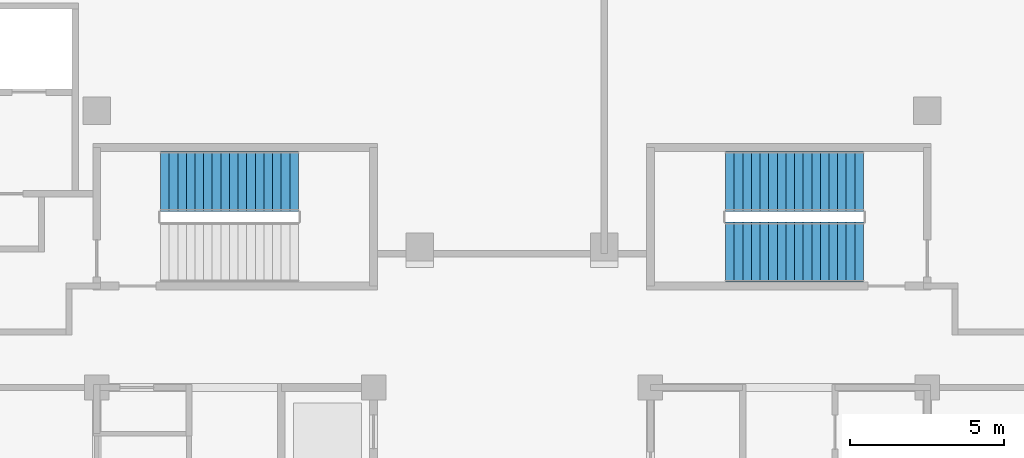
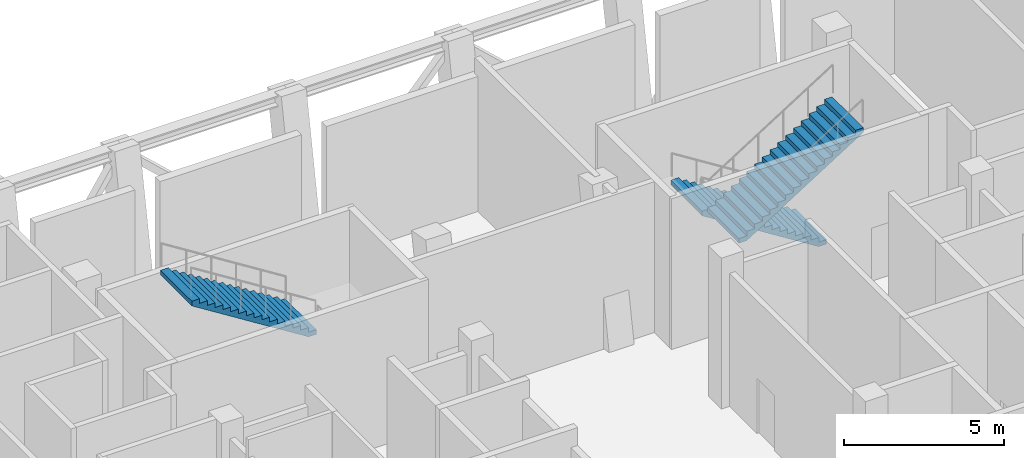
# One storey, part 8 of 11: 3 stair flights, 2 elements without a shape of their own.
"""IFC4 building model written with IfcOpenShell, lengths in metres."""

from ifc_helpers import new_model, si_unit, direction, frame, origin, place, context, subcontext, project, spatial, polyline, outline, extrude, material, type_object, element, aggregate, save


model = new_model("IFC4")

# Units and contexts
model_context = context("Model", 3, precision=1e-05, world=origin(), true_north=direction((0.0, 1.0)))
body_context = subcontext(model_context, "Body", "Model", "MODEL_VIEW")
ifc_project = project(units=[si_unit("LENGTHUNIT", "METRE"), si_unit("AREAUNIT", "SQUARE_METRE"), si_unit("VOLUMEUNIT", "CUBIC_METRE"), si_unit("PLANEANGLEUNIT", "RADIAN"), si_unit("MASSUNIT", "GRAM", prefix="KILO")], contexts=[model_context])

# Site, building, storey
site_placement = place(None, origin())
site = spatial("IfcSite", under=ifc_project, at=site_placement, CompositionType="ELEMENT")
building_placement = place(site_placement, origin())
building = spatial("IfcBuilding", under=site, at=building_placement, Name="Corbelhall Arena Tower", CompositionType="ELEMENT")
storey_placement = place(building_placement, frame((0.0, 0.0, 294.0)))
storey = spatial("IfcBuildingStorey", under=building, at=storey_placement, Name="L64", CompositionType="ELEMENT", Elevation=294.0)

# Stair, stair flight
ifc_material = material(Name="Concrete C40/50", Category="concrete")
stair_type = type_object("IfcStairType", Name="IN-ST-TOWER", PredefinedType="HALF_TURN_STAIR", material=ifc_material)
stair_1_placement = place(storey_placement, origin())
stair_1 = element("IfcStair", 1, at=stair_1_placement, inside=storey, type_object=stair_type, Name="L64 Exit stair ST1", PredefinedType="HALF_TURN_STAIR")
stair_flight_type = type_object("IfcStairFlightType", Name="IN-SFL-RC", PredefinedType="STRAIGHT", material=ifc_material)
stair_flight_1_placement = place(storey_placement, frame((-6.945068359375, 15.699951171875, 3.0), z_axis=(0.0, 0.0, 1.0), x_axis=(-1.0, 0.0, 0.0)))
stair_flight_1 = element("IfcStairFlight", 2, at=stair_flight_1_placement, type_object=stair_flight_type, Name="ST1 flight 2", NumberOfRisers=17, NumberOfTreads=16, PredefinedType="STRAIGHT", RiserHeight=0.176470588, TreadLength=0.28, context=body_context, shape_type="SweptSolid", body=[
    extrude(outline(polyline([(0.0, 0.0), (0.0, 0.176513671875), (0.280029296875, 0.176513671875), (0.280029296875, 0.35302734375), (0.56005859375, 0.35302734375), (0.56005859375, 0.529296875), (0.840087890625, 0.529296875), (0.840087890625, 0.705810546875), (1.1201171875, 0.705810546875), (1.1201171875, 0.88232421875), (1.39990234375, 0.88232421875), (1.39990234375, 1.058837890625), (1.679931640625, 1.058837890625), (1.679931640625, 1.2353515625), (1.9599609375, 1.2353515625), (1.9599609375, 1.411865234375), (2.239990234375, 1.411865234375), (2.239990234375, 1.588134765625), (2.52001953125, 1.588134765625), (2.52001953125, 1.7646484375), (2.800048828125, 1.7646484375), (2.800048828125, 1.941162109375), (3.080078125, 1.941162109375), (3.080078125, 2.11767578125), (3.360107421875, 2.11767578125), (3.360107421875, 2.294189453125), (3.639892578125, 2.294189453125), (3.639892578125, 2.470703125), (3.919921875, 2.470703125), (3.919921875, 2.64697265625), (4.199951171875, 2.64697265625), (4.199951171875, 2.823486328125), (4.47998046875, 2.823486328125), (4.47998046875, 3.0), (4.47998046875, 2.646240234375), (0.28125, 0.0), (0.0, 0.0)])), frame((0.0, 0.97509765625, 0.0), z_axis=(0.0, -1.0, 0.0), x_axis=(1.0, 0.0, 0.0)), (0.0, 0.0, 1.0), 1.949951171875),
])
aggregate(stair_1, [stair_flight_1])

# Stair, stair flights
stair_2_placement = place(storey_placement, origin())
stair_2 = element("IfcStair", 3, at=stair_2_placement, inside=storey, type_object=stair_type, Name="L64 Exit stair ST3", PredefinedType="HALF_TURN_STAIR")
stair_flight_2_placement = place(storey_placement, frame((11.425048828125, 15.699951171875, 0.0), z_axis=(0.0, 0.0, 1.0), x_axis=(-1.0, 0.0, 0.0)))
stair_flight_2 = element("IfcStairFlight", 4, at=stair_flight_2_placement, type_object=stair_flight_type, Name="ST3 flight 1", NumberOfRisers=17, NumberOfTreads=16, PredefinedType="STRAIGHT", RiserHeight=0.176470588, TreadLength=0.28, context=body_context, shape_type="SweptSolid", body=[
    extrude(outline(polyline([(0.0, 0.0), (0.0, 0.176513671875), (0.280029296875, 0.176513671875), (0.280029296875, 0.35302734375), (0.56005859375, 0.35302734375), (0.56005859375, 0.529296875), (0.840087890625, 0.529296875), (0.840087890625, 0.705810546875), (1.1201171875, 0.705810546875), (1.1201171875, 0.88232421875), (1.39990234375, 0.88232421875), (1.39990234375, 1.058837890625), (1.679931640625, 1.058837890625), (1.679931640625, 1.2353515625), (1.9599609375, 1.2353515625), (1.9599609375, 1.411865234375), (2.239990234375, 1.411865234375), (2.239990234375, 1.588134765625), (2.52001953125, 1.588134765625), (2.52001953125, 1.7646484375), (2.800048828125, 1.7646484375), (2.800048828125, 1.941162109375), (3.080078125, 1.941162109375), (3.080078125, 2.11767578125), (3.360107421875, 2.11767578125), (3.360107421875, 2.294189453125), (3.639892578125, 2.294189453125), (3.639892578125, 2.470703125), (3.919921875, 2.470703125), (3.919921875, 2.64697265625), (4.199951171875, 2.64697265625), (4.199951171875, 2.823486328125), (4.47998046875, 2.823486328125), (4.47998046875, 3.0), (4.47998046875, 2.646240234375), (0.28125, 0.0), (0.0, 0.0)])), frame((0.0, 0.97509765625, 0.0), z_axis=(0.0, -1.0, 0.0), x_axis=(1.0, 0.0, 0.0)), (0.0, 0.0, 1.0), 1.949951171875),
])
stair_flight_3_placement = place(storey_placement, frame((6.945068359375, 13.39990234375, 3.0), z_axis=(0.0, 0.0, 1.0), x_axis=(1.0, 0.0, 0.0)))
stair_flight_3 = element("IfcStairFlight", 5, at=stair_flight_3_placement, type_object=stair_flight_type, Name="ST3 flight 2", NumberOfRisers=17, NumberOfTreads=16, PredefinedType="STRAIGHT", RiserHeight=0.176470588, TreadLength=0.28, context=body_context, shape_type="SweptSolid", body=[
    extrude(outline(polyline([(0.0, 0.0), (0.0, 0.176513671875), (0.280029296875, 0.176513671875), (0.280029296875, 0.35302734375), (0.56005859375, 0.35302734375), (0.56005859375, 0.529296875), (0.840087890625, 0.529296875), (0.840087890625, 0.705810546875), (1.1201171875, 0.705810546875), (1.1201171875, 0.88232421875), (1.39990234375, 0.88232421875), (1.39990234375, 1.058837890625), (1.679931640625, 1.058837890625), (1.679931640625, 1.2353515625), (1.9599609375, 1.2353515625), (1.9599609375, 1.411865234375), (2.239990234375, 1.411865234375), (2.239990234375, 1.588134765625), (2.52001953125, 1.588134765625), (2.52001953125, 1.7646484375), (2.800048828125, 1.7646484375), (2.800048828125, 1.941162109375), (3.080078125, 1.941162109375), (3.080078125, 2.11767578125), (3.360107421875, 2.11767578125), (3.360107421875, 2.294189453125), (3.639892578125, 2.294189453125), (3.639892578125, 2.470703125), (3.919921875, 2.470703125), (3.919921875, 2.64697265625), (4.199951171875, 2.64697265625), (4.199951171875, 2.823486328125), (4.47998046875, 2.823486328125), (4.47998046875, 3.0), (4.47998046875, 2.646240234375), (0.28125, 0.0), (0.0, 0.0)])), frame((0.0, 0.97509765625, 0.0), z_axis=(0.0, -1.0, 0.0), x_axis=(1.0, 0.0, 0.0)), (0.0, 0.0, 1.0), 1.949951171875),
])
aggregate(stair_2, [stair_flight_2, stair_flight_3])

save(model, "model.ifc")
